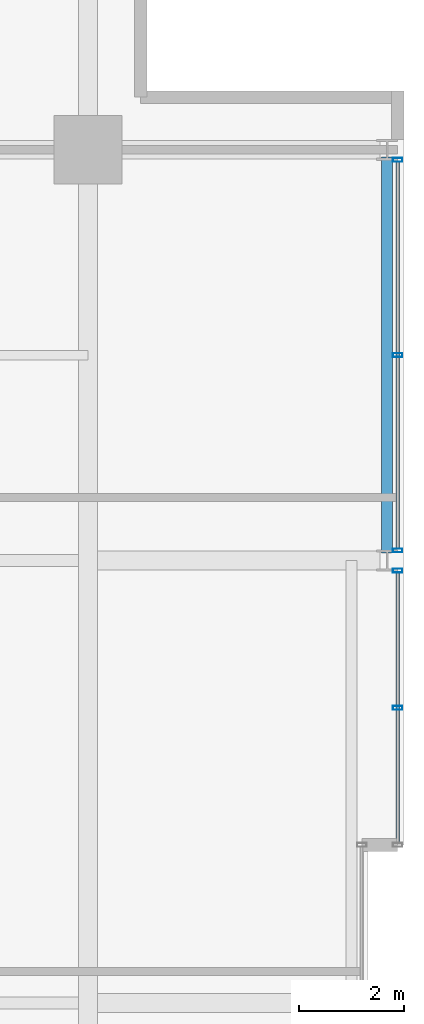
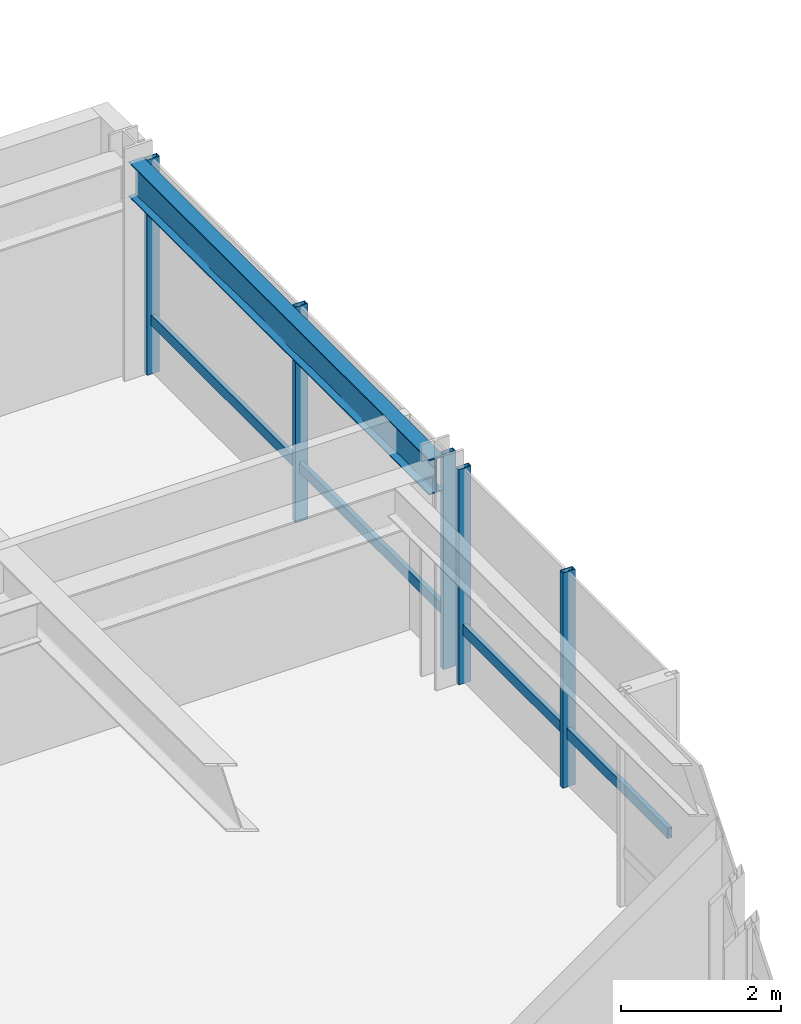
# One storey, part 22 of 31: 7 members, 1 beam, 2 elements without a shape of their own.
"""IFC4 building model written with IfcOpenShell, lengths in metres."""

from ifc_helpers import new_model, si_unit, direction, frame, origin, origin_2d, place, context, subcontext, project, spatial, hollow_rectangle, i_section, extrude, material, layer, layer_set, material_profile, profile_set, type_object, element, aggregate, save


model = new_model("IFC4")

# Units and contexts
model_context = context("Model", 3, precision=1e-05, world=origin(), true_north=direction((0.0, 1.0)))
body_context = subcontext(model_context, "Body", "Model", "MODEL_VIEW")
ifc_project = project(units=[si_unit("LENGTHUNIT", "METRE"), si_unit("AREAUNIT", "SQUARE_METRE"), si_unit("VOLUMEUNIT", "CUBIC_METRE"), si_unit("PLANEANGLEUNIT", "RADIAN"), si_unit("MASSUNIT", "GRAM", prefix="KILO")], contexts=[model_context])

# Site, building, storey
site_placement = place(None, origin())
site = spatial("IfcSite", under=ifc_project, at=site_placement, CompositionType="ELEMENT")
building_placement = place(site_placement, origin())
building = spatial("IfcBuilding", under=site, at=building_placement, Name="Drelvath Grand Hotel", CompositionType="ELEMENT")
storey_placement = place(building_placement, frame((0.0, 0.0, 185.89990234375)))
storey = spatial("IfcBuildingStorey", under=building, at=storey_placement, Name="L48", CompositionType="ELEMENT", Elevation=185.89990234375)

# Curtain wall, member
ifc_material_1 = material(Name="Brushed Pale-Silver Anodised Aluminium Frame", Category="aluminium")
ifc_layer = layer(ifc_material_1, 0.199951171875)
ifc_layer_set = layer_set([ifc_layer], Name="Brushed Pale-Silver Anodised Aluminium Frame")
curtain_wall_type = type_object("IfcCurtainWallType", Name="Stick Curtain Wall CW-04 Brushed Silver Upper-Mid", PredefinedType="NOTDEFINED", material=ifc_layer_set)
curtain_wall_1_placement = place(storey_placement, origin())
curtain_wall_1 = element("IfcCurtainWall", 1, at=curtain_wall_1_placement, inside=storey, type_object=curtain_wall_type, Name="L48 CW-04 Curtain Wall CW04-L48-EN1", PredefinedType="NOTDEFINED")
ifc_material_profile_1 = material_profile(ifc_material_1, hollow_rectangle(XDim=0.06494140625, YDim=0.159912109375, WallThickness=0.00390625, at=origin_2d()), Name="HSS160X65X4")
ifc_profile_set_1 = profile_set([ifc_material_profile_1], Name="Brushed Pale-Silver Anodised Aluminium Frame")
member_type_1 = type_object("IfcMemberType", Name="Curtain Wall Horizontal Transom CW-04 HSS160X65X4", PredefinedType="USERDEFINED", material=ifc_profile_set_1)
member_1_placement = place(storey_placement, frame((22.080078125, 35.16845703125, 0.822509765625), z_axis=(0.0, -1.0, 0.0), x_axis=(1.0, 0.0, 0.0)))
member_1 = element("IfcMember", 2, at=member_1_placement, type_object=member_type_1, Name="CW04-L48-EN1 Sill Transom", ObjectType="TRANSOM", PredefinedType="USERDEFINED", context=body_context, shape_type="SweptSolid", body=[
    extrude(hollow_rectangle(XDim=0.06494140625, YDim=0.159912109375, WallThickness=0.00390625, at=origin_2d()), origin(), (0.0, 0.0, 1.0), 5.12841796875),
])

curtain_wall_2_placement = place(storey_placement, origin())
curtain_wall_2 = element("IfcCurtainWall", 3, at=curtain_wall_2_placement, inside=storey, type_object=curtain_wall_type, Name="L48 CW-04 Curtain Wall CW04-L48-EN2", PredefinedType="NOTDEFINED")
member_2_placement = place(storey_placement, frame((22.080078125, 42.968505859375, 0.822509765625), z_axis=(0.0, -1.0, 0.0), x_axis=(1.0, 0.0, 0.0)))
member_2 = element("IfcMember", 4, at=member_2_placement, type_object=member_type_1, Name="CW04-L48-EN2 Sill Transom", ObjectType="TRANSOM", PredefinedType="USERDEFINED", context=body_context, shape_type="SweptSolid", body=[
    extrude(hollow_rectangle(XDim=0.06494140625, YDim=0.159912109375, WallThickness=0.00390625, at=origin_2d()), origin(), (0.0, 0.0, 1.0), 7.3369140625),
])

# Member
ifc_material_profile_2 = material_profile(ifc_material_1, hollow_rectangle(XDim=0.074951171875, YDim=0.179931640625, WallThickness=0.0048828125, at=origin_2d()), Name="HSS180X75X5")
ifc_profile_set_2 = profile_set([ifc_material_profile_2], Name="Brushed Pale-Silver Anodised Aluminium Frame")
member_type_2 = type_object("IfcMemberType", Name="Curtain Wall Vertical Mullion CW-04 HSS180X75X5", PredefinedType="MULLION", material=ifc_profile_set_2)
member_3_placement = place(storey_placement, frame((22.080078125, 35.20849609375, 0.0), z_axis=(0.0, 0.0, 1.0), x_axis=(0.0, 1.0, 0.0)))
member_3 = element("IfcMember", 5, at=member_3_placement, type_object=member_type_2, Name="CW04-L48-EN1 Mullion 1", PredefinedType="MULLION", context=body_context, shape_type="SweptSolid", body=[
    extrude(hollow_rectangle(XDim=0.074951171875, YDim=0.179931640625, WallThickness=0.0048828125, at=origin_2d()), origin(), (0.0, 0.0, 1.0), 3.2900390625),
])

member_4_placement = place(storey_placement, frame((22.080078125, 32.604248046875, 0.0), z_axis=(0.0, 0.0, 1.0), x_axis=(0.0, 1.0, 0.0)))
member_4 = element("IfcMember", 6, at=member_4_placement, type_object=member_type_2, Name="CW04-L48-EN1 Mullion 2", PredefinedType="MULLION", context=body_context, shape_type="SweptSolid", body=[
    extrude(hollow_rectangle(XDim=0.074951171875, YDim=0.179931640625, WallThickness=0.0048828125, at=origin_2d()), origin(), (0.0, 0.0, 1.0), 3.2900390625),
])

aggregate(curtain_wall_1, [member_3, member_4, member_1])

member_5_placement = place(storey_placement, frame((22.080078125, 43.00830078125, 0.0), z_axis=(0.0, 0.0, 1.0), x_axis=(0.0, 1.0, 0.0)))
member_5 = element("IfcMember", 7, at=member_5_placement, type_object=member_type_2, Name="CW04-L48-EN2 Mullion 1", PredefinedType="MULLION", context=body_context, shape_type="SweptSolid", body=[
    extrude(hollow_rectangle(XDim=0.074951171875, YDim=0.179931640625, WallThickness=0.0048828125, at=origin_2d()), origin(), (0.0, 0.0, 1.0), 3.2900390625),
])

member_6_placement = place(storey_placement, frame((22.080078125, 39.300048828125, 0.0), z_axis=(0.0, 0.0, 1.0), x_axis=(0.0, 1.0, 0.0)))
member_6 = element("IfcMember", 8, at=member_6_placement, type_object=member_type_2, Name="CW04-L48-EN2 Mullion 2", PredefinedType="MULLION", context=body_context, shape_type="SweptSolid", body=[
    extrude(hollow_rectangle(XDim=0.074951171875, YDim=0.179931640625, WallThickness=0.0048828125, at=origin_2d()), origin(), (0.0, 0.0, 1.0), 3.2900390625),
])

member_7_placement = place(storey_placement, frame((22.080078125, 35.591552734375, 0.0), z_axis=(0.0, 0.0, 1.0), x_axis=(0.0, 1.0, 0.0)))
member_7 = element("IfcMember", 9, at=member_7_placement, type_object=member_type_2, Name="CW04-L48-EN2 Mullion 3", PredefinedType="MULLION", context=body_context, shape_type="SweptSolid", body=[
    extrude(hollow_rectangle(XDim=0.074951171875, YDim=0.179931640625, WallThickness=0.0048828125, at=origin_2d()), origin(), (0.0, 0.0, 1.0), 3.2900390625),
])

aggregate(curtain_wall_2, [member_5, member_6, member_7, member_2])

# Beam
ifc_material_2 = material(Name="Steel ASTM A992 Gr 50", Category="steel")
ifc_material_profile_3 = material_profile(ifc_material_2, i_section(OverallWidth=0.210205078125, OverallDepth=0.53662109375, WebThickness=0.010986328125, FlangeThickness=0.017333984375, FilletRadius=0.01806640625, at=origin_2d()), Name="W21X68")
ifc_profile_set_3 = profile_set([ifc_material_profile_3], Name="Steel ASTM A992 Gr 50")
beam_type = type_object("IfcBeamType", Name="Perimeter Spandrel Beam W21X68", PredefinedType="SPANDREL", material=ifc_profile_set_3)
beam_placement = place(storey_placement, frame((21.8798828125, 35.5400390625, 3.021728515625), z_axis=(0.0, 1.0, 0.0), x_axis=(-1.0, 0.0, 0.0)))
element("IfcBeam", 10, at=beam_placement, inside=storey, type_object=beam_type, Name="L48 Spandrel East N", PredefinedType="SPANDREL", context=body_context, shape_type="SweptSolid", body=[
    extrude(i_section(OverallWidth=0.210205078125, OverallDepth=0.53662109375, WebThickness=0.010986328125, FlangeThickness=0.017333984375, FilletRadius=0.01806640625, at=origin_2d()), origin(), (0.0, 0.0, 1.0), 7.52001953125),
])

save(model, "model.ifc")
